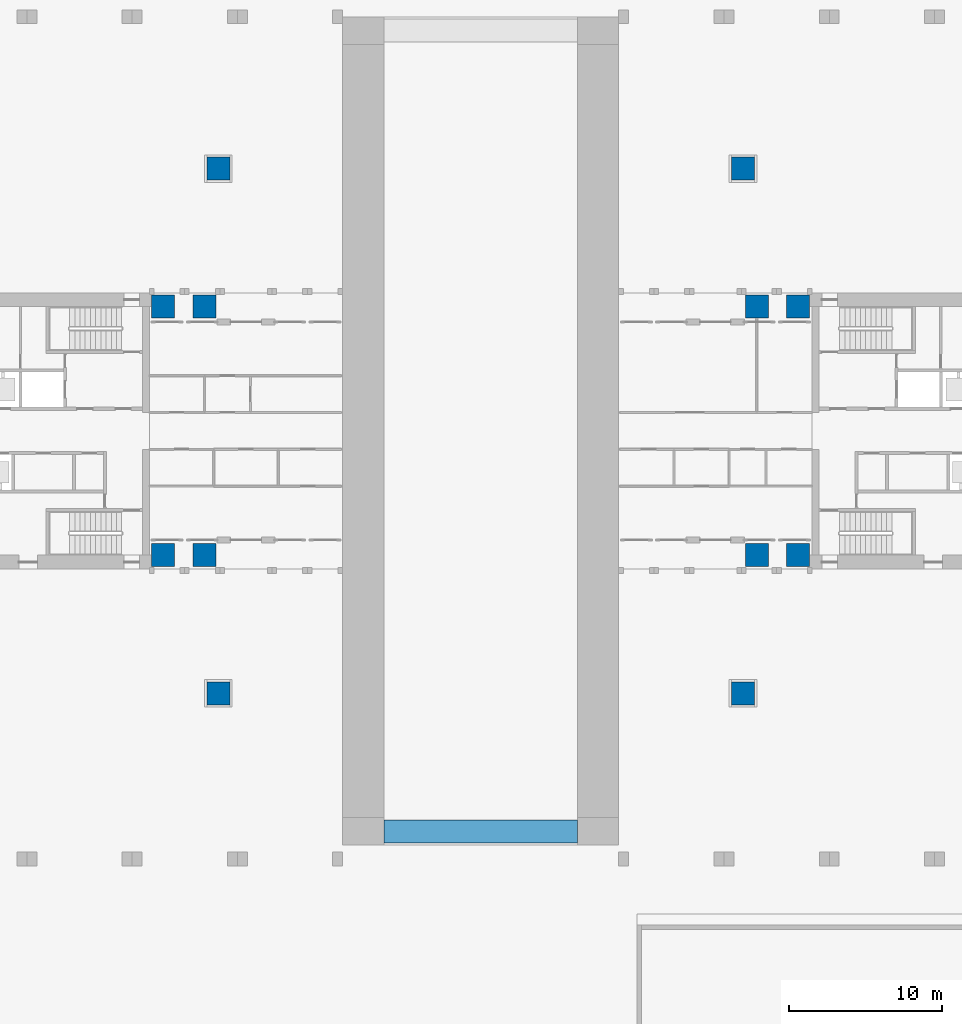
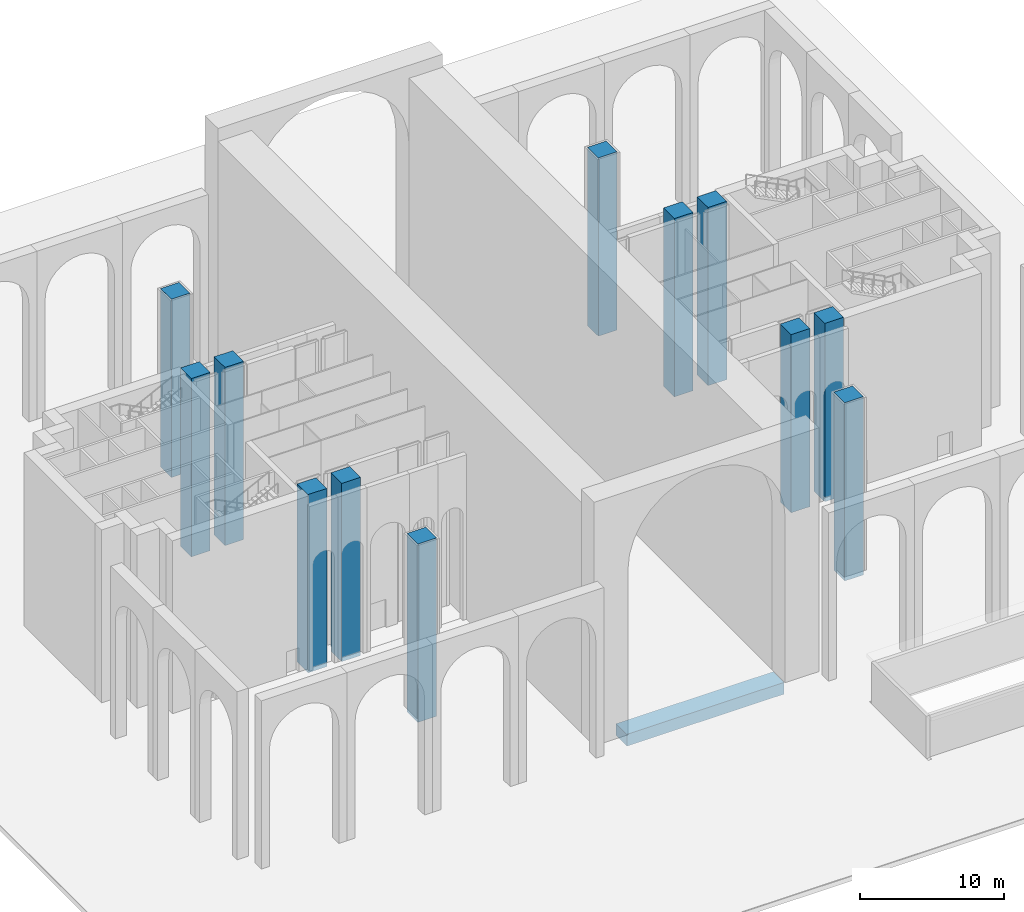
# One storey, part 1 of 18: 12 columns, 1 beam.
"""IFC4 building model written with IfcOpenShell, lengths in metres."""

import ifcopenshell
import ifcopenshell.guid

model = None  # the IFC model being written
_history = None  # IfcOwnerHistory: only IFC2X3 demands one
_inside = {}  # id of a spatial element -> (the spatial element, [elements in it])
_under = {}  # id of a project, library or spatial element -> (it, [spatial elements below it])
_declared = {}  # id of a project -> (the project, [libraries it declares])
_typed = {}  # id of a type object -> (the type object, [elements of that type])
_made_of = {}  # id of a material, layer set ... -> (it, [elements and type objects made of it])


def new_model(schema):
    """Start an empty IFC model of exactly this schema.

    Asked for "IFC4X3", IfcOpenShell would pick the latest addendum, in which some entities
    have other attributes; the version numbers below select the first issue.
    IFC2X3 requires an IfcOwnerHistory on every rooted entity: one is made here for all.
    """
    global model, _history
    if schema == "IFC4X3":
        model = ifcopenshell.file(schema_version=(4, 3, 0, 0))
    else:
        model = ifcopenshell.file(schema=schema)
    _inside.clear()
    _under.clear()
    _declared.clear()
    _typed.clear()
    _made_of.clear()
    _history = None
    if model.schema == "IFC2X3":
        org = make("IfcOrganization", Name="unknown")
        user = make(
            "IfcPersonAndOrganization",
            ThePerson=make("IfcPerson", FamilyName="unknown"),
            TheOrganization=org,
        )
        app = make(
            "IfcApplication",
            ApplicationDeveloper=org,
            Version="unknown",
            ApplicationFullName="unknown",
            ApplicationIdentifier="unknown",
        )
        _history = make(
            "IfcOwnerHistory",
            OwningUser=user,
            OwningApplication=app,
            ChangeAction="ADDED",
            CreationDate=0,
        )
    return model


def make(cls, **values):
    """One entity of the class cls with the attributes given. An attribute that is None is left unset."""
    return model.create_entity(
        cls, **{name: value for name, value in values.items() if value is not None}
    )


def rooted(cls, **values):
    """An entity with a GlobalId (a new one), such as an element, a storey or a relation."""
    return make(cls, GlobalId=ifcopenshell.guid.new(), OwnerHistory=_history, **values)


def si_unit(unit_type, name, prefix=None):
    """IfcSIUnit, for example si_unit("LENGTHUNIT", "METRE", prefix="MILLI")."""
    return make("IfcSIUnit", UnitType=unit_type, Prefix=prefix, Name=name)


def assignment(units):
    """IfcUnitAssignment: the units of a project."""
    return None if units is None else make("IfcUnitAssignment", Units=units)


def point(xyz):
    """IfcCartesianPoint."""
    return None if xyz is None else make("IfcCartesianPoint", Coordinates=xyz)


def direction(xyz):
    """IfcDirection."""
    return None if xyz is None else make("IfcDirection", DirectionRatios=xyz)


def frame(location, z_axis=None, x_axis=None):
    """IfcAxis2Placement3D, a coordinate frame: its origin and axes. An axis left out is left unset."""
    return make(
        "IfcAxis2Placement3D",
        Location=point(location),
        Axis=direction(z_axis),
        RefDirection=direction(x_axis),
    )


def frame_2d(location, x_axis=None):
    """IfcAxis2Placement2D, a coordinate frame in the plane: its origin and x axis."""
    return make(
        "IfcAxis2Placement2D", Location=point(location), RefDirection=direction(x_axis)
    )


def origin():
    """The frame at (0, 0, 0) with its axes left unset."""
    return frame((0.0, 0.0, 0.0))


def origin_2d():
    """The frame at (0, 0) in the plane with its x axis left unset."""
    return frame_2d((0.0, 0.0))


def place(relative_to, where):
    """IfcLocalPlacement: puts the frame where relative to a parent placement (None: the world)."""
    return make(
        "IfcLocalPlacement", PlacementRelTo=relative_to, RelativePlacement=where
    )


def context(
    kind, dimensions, precision=None, world=None, true_north=None, identifier=None
):
    """IfcGeometricRepresentationContext, for example the 3D "Model" context."""
    return make(
        "IfcGeometricRepresentationContext",
        ContextIdentifier=identifier,
        ContextType=kind,
        CoordinateSpaceDimension=dimensions,
        Precision=precision,
        WorldCoordinateSystem=world,
        TrueNorth=true_north,
    )


def subcontext(parent, identifier, kind, view, scale=None):
    """IfcGeometricRepresentationSubContext, for example "Body" below "Model"."""
    return make(
        "IfcGeometricRepresentationSubContext",
        ContextIdentifier=identifier,
        ContextType=kind,
        ParentContext=parent,
        TargetScale=scale,
        TargetView=view,
    )


def project(units=None, contexts=None):
    """IfcProject with its units and contexts."""
    return rooted(
        "IfcProject",
        Name="project",
        RepresentationContexts=contexts,
        UnitsInContext=assignment(units),
    )


def spatial(cls, under=None, at=None, **own):
    """A site, building, storey or space (cls), placed at a placement, below another one or the project."""
    s = rooted(cls, ObjectPlacement=at, **own)
    if under is not None:
        _under.setdefault(under.id(), (under, []))[1].append(s)
    return s


def profile(cls, at=None, kind="AREA", **sizes):
    """A parametric profile (cls). Its sizes go by their IFC names, for example OverallWidth=200.0."""
    return make(cls, ProfileType=kind, Position=at, **sizes)


def rectangle(**sizes):
    """IfcRectangleProfileDef."""
    return profile("IfcRectangleProfileDef", **sizes)


def extrude(swept, where, along, depth):
    """IfcExtrudedAreaSolid: the profile swept, set in the frame where, extruded along a direction by depth."""
    return make(
        "IfcExtrudedAreaSolid",
        SweptArea=swept,
        Position=where,
        ExtrudedDirection=direction(along),
        Depth=depth,
    )


def shape(context_of_items, identifier, shape_type, items):
    """IfcShapeRepresentation: the items that make up one representation, for example the "Body"."""
    return make(
        "IfcShapeRepresentation",
        ContextOfItems=context_of_items,
        RepresentationIdentifier=identifier,
        RepresentationType=shape_type,
        Items=items,
    )


def material(Name=None, Category=None):
    """IfcMaterial."""
    return make("IfcMaterial", Name=Name, Category=Category)


def material_profile(
    of_material, cross_section, Name=None, Category=None, Priority=None
):
    """IfcMaterialProfile: a cross section and its material."""
    return make(
        "IfcMaterialProfile",
        Name=Name,
        Material=of_material,
        Profile=cross_section,
        Priority=Priority,
        Category=Category,
    )


def profile_set(profiles, Name=None, composite=None):
    """IfcMaterialProfileSet."""
    return make(
        "IfcMaterialProfileSet",
        Name=Name,
        MaterialProfiles=profiles,
        CompositeProfile=composite,
    )


def made_of(thing, what):
    """Note that an element or type object is made of a material, layer set ...; save() writes the relation."""
    if what is not None:
        _made_of.setdefault(what.id(), (what, []))[1].append(thing)
    return thing


def type_object(cls, material=None, **own):
    """A type object (cls), such as IfcWallType, which elements share."""
    return made_of(rooted(cls, **own), material)


def element(
    cls,
    number,
    at=None,
    inside=None,
    cuts=None,
    type_object=None,
    material=None,
    context=None,
    identifier="Body",
    shape_type=None,
    held_by="IfcProductDefinitionShape",
    body=None,
    shapes=None,
    **own,
):
    """One element of the class cls, such as IfcWall. Its Tag is "e" and its number.

    at: its placement. inside: the storey or other place that contains it. cuts: it is an
    opening in that element (IfcRelVoidsElement). A single representation is given by context,
    identifier, shape_type and body (its items); several are given by shapes. held_by: the class
    of the entity that holds the representations. save() writes the other relations.
    """
    e = rooted(cls, Tag="e%d" % number, ObjectPlacement=at, **own)
    if body is not None:
        shapes = [shape(context, identifier, shape_type, body)]
    if shapes is not None:
        e.Representation = make(held_by, Representations=shapes)
    if inside is not None:
        _inside.setdefault(inside.id(), (inside, []))[1].append(e)
    if cuts is not None:
        rooted(
            "IfcRelVoidsElement", RelatingBuildingElement=cuts, RelatedOpeningElement=e
        )
    if type_object is not None:
        _typed.setdefault(type_object.id(), (type_object, []))[1].append(e)
    return made_of(e, material)


def aggregate(whole, parts):
    """IfcRelAggregates: a whole, such as a stair, and the parts it consists of."""
    return rooted("IfcRelAggregates", RelatingObject=whole, RelatedObjects=parts)


def save(model, path):
    """Write the relations noted so far, then the file.

    IfcRelAggregates (storeys below a building ...), IfcRelContainedInSpatialStructure (elements
    in a storey), IfcRelDefinesByType, IfcRelAssociatesMaterial and IfcRelDeclares: one each for
    every whole, place, type object, material and project.
    """
    for whole, parts in _under.values():
        aggregate(whole, parts)
    for where, things in _inside.values():
        rooted(
            "IfcRelContainedInSpatialStructure",
            RelatedElements=things,
            RelatingStructure=where,
        )
    for kind, things in _typed.values():
        rooted("IfcRelDefinesByType", RelatedObjects=things, RelatingType=kind)
    for what, things in _made_of.values():
        rooted("IfcRelAssociatesMaterial", RelatedObjects=things, RelatingMaterial=what)
    for by, libraries in _declared.values():
        rooted("IfcRelDeclares", RelatingContext=by, RelatedDefinitions=libraries)
    model.write(path)


model = new_model("IFC4")

# Units and contexts
model_context = context("Model", 3, precision=1e-05, world=origin(), true_north=direction((0.0, 1.0)))
body_context = subcontext(model_context, "Body", "Model", "MODEL_VIEW")
ifc_project = project(units=[si_unit("LENGTHUNIT", "METRE"), si_unit("AREAUNIT", "SQUARE_METRE"), si_unit("VOLUMEUNIT", "CUBIC_METRE"), si_unit("PLANEANGLEUNIT", "RADIAN"), si_unit("MASSUNIT", "GRAM", prefix="KILO")], contexts=[model_context])

# Site, building, storey
site_placement = place(None, origin())
site = spatial("IfcSite", under=ifc_project, at=site_placement, CompositionType="ELEMENT")
building_placement = place(site_placement, origin())
building = spatial("IfcBuilding", under=site, at=building_placement, Name="Perihelion Cross Residences", CompositionType="ELEMENT")
storey_placement = place(building_placement, origin())
storey = spatial("IfcBuildingStorey", under=building, at=storey_placement, Name="L00", CompositionType="ELEMENT", Elevation=0.0)

# Columns
ifc_material_1 = material(Name="Concrete C80/95", Category="concrete")
ifc_material_profile_1 = material_profile(ifc_material_1, rectangle(XDim=1.5, YDim=1.5, at=origin_2d()), Name="RC 1500x1500")
ifc_profile_set_1 = profile_set([ifc_material_profile_1], Name="Concrete C80/95")
column_type = type_object("IfcColumnType", Name="Reinforced concrete column 1500x1500 C80/95", PredefinedType="COLUMN", material=ifc_profile_set_1)
for number, where, z_axis, x_axis, name in (
    (1, (-20.699951171875, -8.10009765625, -0.39990234375), (0.0, 0.0, 1.0), (1.0, 0.0, 0.0), "Column C017 L00 no. 1"),
    (2, (-20.699951171875, 8.10009765625, -0.39990234375), (0.0, 0.0, 1.0), (1.0, 0.0, 0.0), "Column C010 L00 no. 1"),
    (3, (-18.0, -8.10009765625, -0.39990234375), (0.0, 0.0, 1.0), (1.0, 0.0, 0.0), "Column C018 L00 no. 1"),
    (4, (-18.0, 8.10009765625, -0.39990234375), (0.0, 0.0, 1.0), (1.0, 0.0, 0.0), "Column C011 L00 no. 1"),
    (5, (18.0, -8.10009765625, -0.39990234375), (0.0, 0.0, 1.0), (1.0, 0.0, 0.0), "Column C021 L00 no. 1"),
    (6, (18.0, 8.10009765625, -0.39990234375), (0.0, 0.0, 1.0), (1.0, 0.0, 0.0), "Column C015 L00 no. 1"),
    (7, (20.699951171875, -8.10009765625, -0.39990234375), (0.0, 0.0, 1.0), (1.0, 0.0, 0.0), "Column C022 L00 no. 1"),
    (8, (20.699951171875, 8.10009765625, -0.39990234375), (0.0, 0.0, 1.0), (1.0, 0.0, 0.0), "Column C016 L00 no. 1"),
    (9, (17.10009765625, 17.10009765625, -0.39990234375), (0.0, 0.0, 1.0), (1.0, 0.0, 0.0), "Column C009 L00 no. 1"),
    (10, (-17.10009765625, 17.10009765625, -0.39990234375), (0.0, 0.0, 1.0), (1.0, 0.0, 0.0), "Column C008 L00 no. 1"),
    (11, (-17.10009765625, -17.10009765625, -0.39990234375), (0.0, 0.0, 1.0), (1.0, 0.0, 0.0), "Column C030 L00 no. 1"),
    (12, (17.10009765625, -17.10009765625, -0.39990234375), (0.0, 0.0, 1.0), (1.0, 0.0, 0.0), "Column C036 L00 no. 1"),
):
    element("IfcColumn", number, at=place(storey_placement, frame(where, z_axis=z_axis, x_axis=x_axis)), inside=storey, type_object=column_type, Name=name, PredefinedType="COLUMN", context=body_context, shape_type="SweptSolid", body=[
        extrude(rectangle(XDim=1.5, YDim=1.5, at=origin_2d()), origin(), (0.0, 0.0, 1.0), 15.099853515625),
    ])

# Beam
ifc_material_2 = material(Name="Concrete C60/75", Category="concrete")
ifc_material_profile_2 = material_profile(ifc_material_2, rectangle(XDim=1.5, YDim=1.0, at=origin_2d()), Name="RC 1500x1000")
ifc_profile_set_2 = profile_set([ifc_material_profile_2], Name="Concrete C60/75")
beam_type = type_object("IfcBeamType", Name="Portal threshold beam 1500x1000 concrete C60/75", PredefinedType="BEAM", material=ifc_profile_set_2)
beam_placement = place(storey_placement, frame((-6.300048828125, -26.10009765625, -0.5), z_axis=(1.0, 0.0, 0.0), x_axis=(0.0, 1.0, 0.0)))
element("IfcBeam", 13, at=beam_placement, inside=storey, type_object=beam_type, Name="Beam TH1 L00 portal sill south", PredefinedType="BEAM", context=body_context, shape_type="SweptSolid", body=[
    extrude(rectangle(XDim=1.5, YDim=1.0, at=origin_2d()), origin(), (0.0, 0.0, 1.0), 12.60009765625),
])

save(model, "model.ifc")
